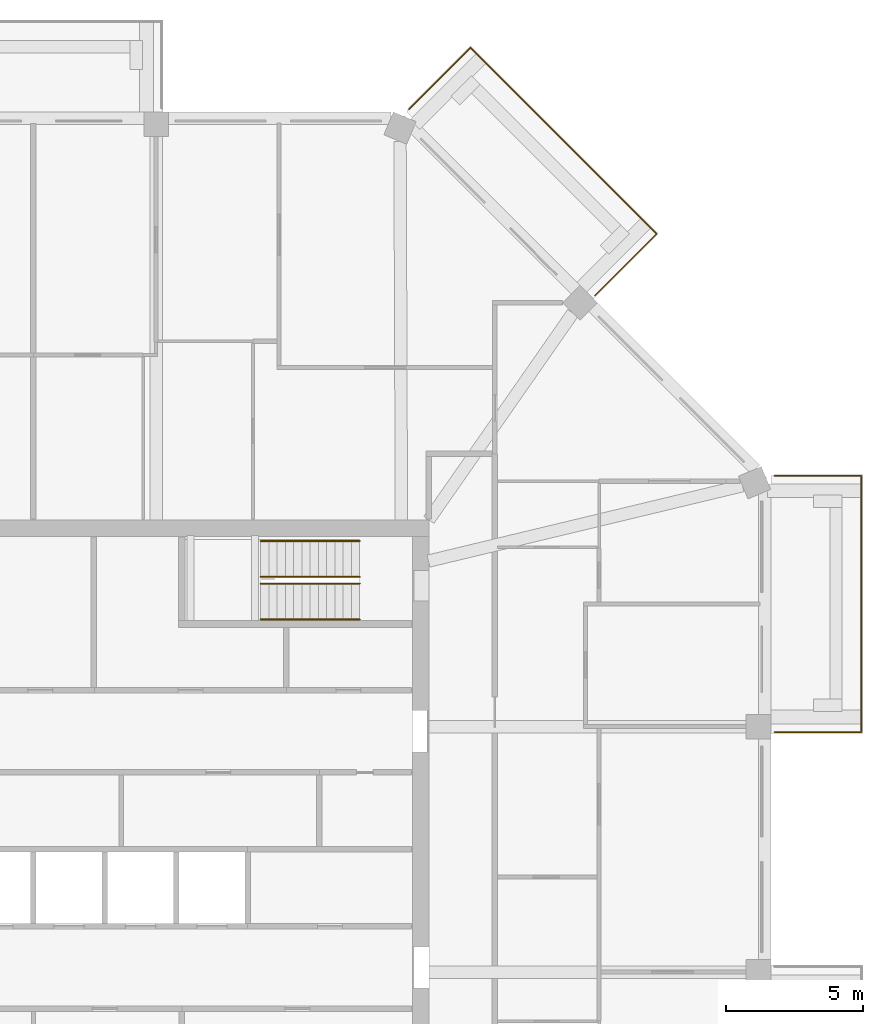
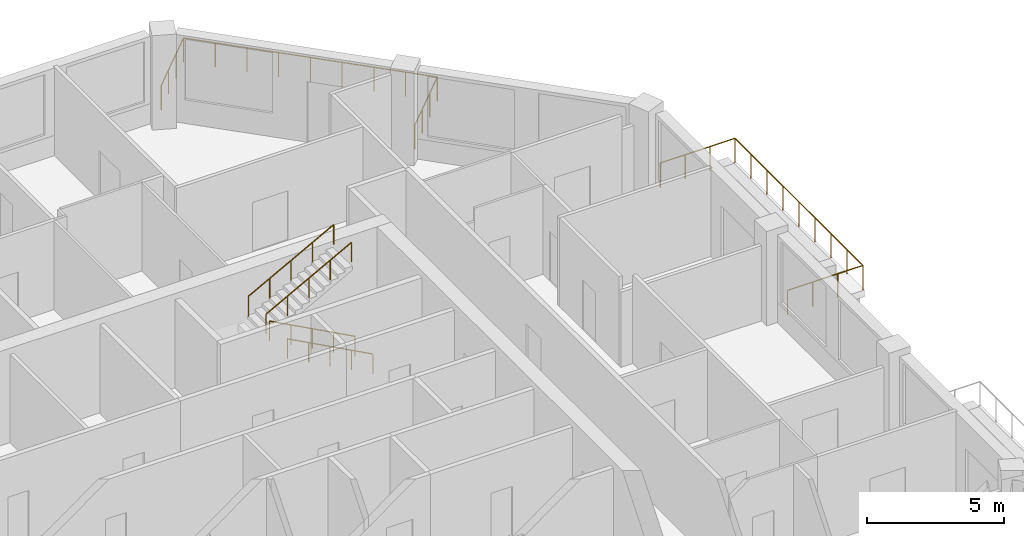
# One storey, part 12 of 12: 6 railings.
"""IFC4 building model written with IfcOpenShell, lengths in metres."""

from ifc_helpers import new_model, si_unit, direction, frame, origin, origin_2d, place, context, subcontext, project, spatial, circle, extrude, material, constituent, constituent_set, type_object, element, save


model = new_model("IFC4")

# Units and contexts
model_context = context("Model", 3, precision=1e-05, world=origin(), true_north=direction((0.0, 1.0)))
body_context = subcontext(model_context, "Body", "Model", "MODEL_VIEW")
ifc_project = project(units=[si_unit("LENGTHUNIT", "METRE"), si_unit("AREAUNIT", "SQUARE_METRE"), si_unit("VOLUMEUNIT", "CUBIC_METRE"), si_unit("PLANEANGLEUNIT", "RADIAN"), si_unit("MASSUNIT", "GRAM", prefix="KILO")], contexts=[model_context])

# Site, building, storey
site_placement = place(None, origin())
site = spatial("IfcSite", under=ifc_project, at=site_placement, CompositionType="ELEMENT")
building_placement = place(site_placement, origin())
building = spatial("IfcBuilding", under=site, at=building_placement, Name="Msitu Wima Residences", CompositionType="ELEMENT")
storey_placement = place(building_placement, frame((0.0, 0.0, 239.10009765625)))
storey = spatial("IfcBuildingStorey", under=building, at=storey_placement, Name="L55", CompositionType="ELEMENT", Elevation=239.10009765625)

# Railings
ifc_material_1 = material(Name="Steel S355", Category="steel")
ifc_constituent_1 = constituent(ifc_material_1, Name="Steel S355")
ifc_material_2 = material(Name="Weathering patina")
ifc_constituent_2 = constituent(ifc_material_2, Name="Weathering patina")
ifc_constituent_set_1 = constituent_set(constituents=[ifc_constituent_1, ifc_constituent_2], Name="Steel S355")
railing_type_1 = type_object("IfcRailingType", Name="Balcony guard GR1100", PredefinedType="GUARDRAIL", material=ifc_constituent_set_1)
railing_1_placement = place(storey_placement, frame((26.97998046875, 13.592041015625, 0.0)))
element("IfcRailing", 1, at=railing_1_placement, inside=storey, type_object=railing_type_1, Name="Balcony guard E2 L55", PredefinedType="GUARDRAIL", context=body_context, shape_type="SweptSolid", body=[
    extrude(circle(Radius=0.02392578125, at=origin_2d()), frame((0.0, 0.0, 1.076171875), z_axis=(0.923276184907, 0.384136806859, 0.0), x_axis=(-0.384136806859, 0.923276184907, 0.0)), (0.0, 0.0, 1.0), 0.0361328125),
    extrude(circle(Radius=0.02392578125, at=origin_2d()), frame((0.033447265625, 0.013916015625, 1.076171875), z_axis=(1.0, 0.0, 0.0), x_axis=(0.0, 1.0, 0.0)), (0.0, 0.0, 1.0), 3.136474609375),
    extrude(circle(Radius=0.02392578125, at=origin_2d()), frame((3.169921875, 0.013916015625, 1.076171875), z_axis=(0.0, -1.0, 0.0), x_axis=(1.0, 0.0, 0.0)), (0.0, 0.0, 1.0), 9.33740234375),
    extrude(circle(Radius=0.02392578125, at=origin_2d()), frame((3.169921875, -9.323486328125, 1.076171875), z_axis=(-1.0, 0.0, 0.0), x_axis=(0.0, -1.0, 0.0)), (0.0, 0.0, 1.0), 3.169921875),
    extrude(circle(Radius=0.02099609375, at=origin_2d()), origin(), (0.0, 0.0, 1.0), 1.052001953125),
    extrude(circle(Radius=0.02099609375, at=origin_2d()), frame((0.033447265625, 0.013916015625, 0.0)), (0.0, 0.0, 1.0), 1.052001953125),
    extrude(circle(Radius=0.02099609375, at=origin_2d()), frame((1.078857421875, 0.013916015625, 0.0)), (0.0, 0.0, 1.0), 1.052001953125),
    extrude(circle(Radius=0.02099609375, at=origin_2d()), frame((2.12451171875, 0.013916015625, 0.0)), (0.0, 0.0, 1.0), 1.052001953125),
    extrude(circle(Radius=0.02099609375, at=origin_2d()), frame((3.169921875, 0.013916015625, 0.0)), (0.0, 0.0, 1.0), 1.052001953125),
    extrude(circle(Radius=0.02099609375, at=origin_2d()), frame((3.169921875, -1.1533203125, 0.0)), (0.0, 0.0, 1.0), 1.052001953125),
    extrude(circle(Radius=0.02099609375, at=origin_2d()), frame((3.169921875, -2.3203125, 0.0)), (0.0, 0.0, 1.0), 1.052001953125),
    extrude(circle(Radius=0.02099609375, at=origin_2d()), frame((3.169921875, -3.487548828125, 0.0)), (0.0, 0.0, 1.0), 1.052001953125),
    extrude(circle(Radius=0.02099609375, at=origin_2d()), frame((3.169921875, -4.65478515625, 0.0)), (0.0, 0.0, 1.0), 1.052001953125),
    extrude(circle(Radius=0.02099609375, at=origin_2d()), frame((3.169921875, -5.822021484375, 0.0)), (0.0, 0.0, 1.0), 1.052001953125),
    extrude(circle(Radius=0.02099609375, at=origin_2d()), frame((3.169921875, -6.9892578125, 0.0)), (0.0, 0.0, 1.0), 1.052001953125),
    extrude(circle(Radius=0.02099609375, at=origin_2d()), frame((3.169921875, -8.15625, 0.0)), (0.0, 0.0, 1.0), 1.052001953125),
    extrude(circle(Radius=0.02099609375, at=origin_2d()), frame((3.169921875, -9.323486328125, 0.0)), (0.0, 0.0, 1.0), 1.052001953125),
    extrude(circle(Radius=0.02099609375, at=origin_2d()), frame((2.11328125, -9.323486328125, 0.0)), (0.0, 0.0, 1.0), 1.052001953125),
    extrude(circle(Radius=0.02099609375, at=origin_2d()), frame((1.056640625, -9.323486328125, 0.0)), (0.0, 0.0, 1.0), 1.052001953125),
    extrude(circle(Radius=0.02099609375, at=origin_2d()), frame((0.0, -9.323486328125, 0.0)), (0.0, 0.0, 1.0), 1.052001953125),
])
railing_2_placement = place(storey_placement, frame((13.684326171875, 26.941650390625, 0.0)))
element("IfcRailing", 2, at=railing_2_placement, inside=storey, type_object=railing_type_1, Name="Balcony guard NE1 L55", PredefinedType="GUARDRAIL", context=body_context, shape_type="SweptSolid", body=[
    extrude(circle(Radius=0.02392578125, at=origin_2d()), frame((0.0, 0.0, 1.076171875), z_axis=(0.38176015442, 0.92426142649, 0.0), x_axis=(-0.92426142649, 0.38176015442, 0.0)), (0.0, 0.0, 1.0), 0.036376953125),
    extrude(circle(Radius=0.02392578125, at=origin_2d()), frame((0.013916015625, 0.03369140625, 1.076171875), z_axis=(0.707106781187, 0.707106781187, 0.0), x_axis=(-0.707106781187, 0.707106781187, 0.0)), (0.0, 0.0, 1.0), 3.136474609375),
    extrude(circle(Radius=0.02392578125, at=origin_2d()), frame((2.231689453125, 2.25146484375, 1.076171875), z_axis=(0.707106781187, -0.707106781187, 0.0), x_axis=(0.707106781187, 0.707106781187, 0.0)), (0.0, 0.0, 1.0), 9.58837890625),
    extrude(circle(Radius=0.02392578125, at=origin_2d()), frame((9.01171875, -4.528564453125, 1.076171875), z_axis=(-0.707106781187, -0.707106781187, 0.0), x_axis=(0.707106781187, -0.707106781187, 0.0)), (0.0, 0.0, 1.0), 3.169921875),
    extrude(circle(Radius=0.02099609375, at=origin_2d()), origin(), (0.0, 0.0, 1.0), 1.052001953125),
    extrude(circle(Radius=0.02099609375, at=origin_2d()), frame((0.013916015625, 0.03369140625, 0.0)), (0.0, 0.0, 1.0), 1.052001953125),
    extrude(circle(Radius=0.02099609375, at=origin_2d()), frame((0.753173828125, 0.77294921875, 0.0)), (0.0, 0.0, 1.0), 1.052001953125),
    extrude(circle(Radius=0.02099609375, at=origin_2d()), frame((1.492431640625, 1.51220703125, 0.0)), (0.0, 0.0, 1.0), 1.052001953125),
    extrude(circle(Radius=0.02099609375, at=origin_2d()), frame((2.231689453125, 2.25146484375, 0.0)), (0.0, 0.0, 1.0), 1.052001953125),
    extrude(circle(Radius=0.02099609375, at=origin_2d()), frame((3.0791015625, 1.404052734375, 0.0)), (0.0, 0.0, 1.0), 1.052001953125),
    extrude(circle(Radius=0.02099609375, at=origin_2d()), frame((3.9267578125, 0.556396484375, 0.0)), (0.0, 0.0, 1.0), 1.052001953125),
    extrude(circle(Radius=0.02099609375, at=origin_2d()), frame((4.774169921875, -0.291015625, 0.0)), (0.0, 0.0, 1.0), 1.052001953125),
    extrude(circle(Radius=0.02099609375, at=origin_2d()), frame((5.62158203125, -1.138671875, 0.0)), (0.0, 0.0, 1.0), 1.052001953125),
    extrude(circle(Radius=0.02099609375, at=origin_2d()), frame((6.46923828125, -1.986083984375, 0.0)), (0.0, 0.0, 1.0), 1.052001953125),
    extrude(circle(Radius=0.02099609375, at=origin_2d()), frame((7.316650390625, -2.83349609375, 0.0)), (0.0, 0.0, 1.0), 1.052001953125),
    extrude(circle(Radius=0.02099609375, at=origin_2d()), frame((8.164306640625, -3.68115234375, 0.0)), (0.0, 0.0, 1.0), 1.052001953125),
    extrude(circle(Radius=0.02099609375, at=origin_2d()), frame((9.01171875, -4.528564453125, 0.0)), (0.0, 0.0, 1.0), 1.052001953125),
    extrude(circle(Radius=0.02099609375, at=origin_2d()), frame((8.2646484375, -5.275634765625, 0.0)), (0.0, 0.0, 1.0), 1.052001953125),
    extrude(circle(Radius=0.02099609375, at=origin_2d()), frame((7.517333984375, -6.02294921875, 0.0)), (0.0, 0.0, 1.0), 1.052001953125),
    extrude(circle(Radius=0.02099609375, at=origin_2d()), frame((6.770263671875, -6.77001953125, 0.0)), (0.0, 0.0, 1.0), 1.052001953125),
])
ifc_constituent_3 = constituent(ifc_material_1, Name="Steel S355")
ifc_material_3 = material(Name="Black powder coating")
ifc_constituent_4 = constituent(ifc_material_3, Name="Black powder coating")
ifc_constituent_set_2 = constituent_set(constituents=[ifc_constituent_3, ifc_constituent_4], Name="Steel S355")
railing_type_2 = type_object("IfcRailingType", Name="Stair handrail HR1", PredefinedType="HANDRAIL", material=ifc_constituent_set_2)
for number, where, name in (
    (3, (11.875, 8.375, 0.161376953125), "Stair 3 handrail"),
    (4, (11.875, 9.675048828125, 0.161376953125), "Stair 3 handrail"),
):
    element("IfcRailing", number, at=place(storey_placement, frame(where)), inside=storey, type_object=railing_type_2, Name=name, PredefinedType="HANDRAIL", context=body_context, shape_type="SweptSolid", body=[
        extrude(circle(Radius=0.02392578125, at=origin_2d()), frame((0.0, 0.0, 0.8759765625), z_axis=(-0.880474934443, 0.0, 0.474092701714), x_axis=(0.0, -1.0, 0.0)), (0.0, 0.0, 1.0), 4.0888671875),
        extrude(circle(Radius=0.02099609375, at=origin_2d()), origin(), (0.0, 0.0, 1.0), 0.851806640625),
        extrude(circle(Radius=0.02099609375, at=origin_2d()), frame((-0.89990234375, 0.0, 0.484619140625)), (0.0, 0.0, 1.0), 0.851806640625),
        extrude(circle(Radius=0.02099609375, at=origin_2d()), frame((-1.800048828125, 0.0, 0.96923828125)), (0.0, 0.0, 1.0), 0.851806640625),
        extrude(circle(Radius=0.02099609375, at=origin_2d()), frame((-2.7001953125, 0.0, 1.453857421875)), (0.0, 0.0, 1.0), 0.851806640625),
        extrude(circle(Radius=0.02099609375, at=origin_2d()), frame((-3.60009765625, 0.0, 1.9384765625)), (0.0, 0.0, 1.0), 0.851806640625),
    ])
for number, where, name in (
    (5, (8.27490234375, 9.925048828125, 2.261474609375), "Stair 3 handrail"),
    (6, (8.27490234375, 11.22509765625, 2.261474609375), "Stair 3 handrail"),
):
    element("IfcRailing", number, at=place(storey_placement, frame(where)), inside=storey, type_object=railing_type_2, Name=name, PredefinedType="HANDRAIL", context=body_context, shape_type="SweptSolid", body=[
        extrude(circle(Radius=0.02392578125, at=origin_2d()), frame((0.0, 0.0, 0.8759765625), z_axis=(0.880474934443, 0.0, 0.474092701714), x_axis=(0.0, 1.0, 0.0)), (0.0, 0.0, 1.0), 4.0888671875),
        extrude(circle(Radius=0.02099609375, at=origin_2d()), origin(), (0.0, 0.0, 1.0), 0.851806640625),
        extrude(circle(Radius=0.02099609375, at=origin_2d()), frame((0.89990234375, 0.0, 0.484619140625)), (0.0, 0.0, 1.0), 0.851806640625),
        extrude(circle(Radius=0.02099609375, at=origin_2d()), frame((1.800048828125, 0.0, 0.96923828125)), (0.0, 0.0, 1.0), 0.851806640625),
        extrude(circle(Radius=0.02099609375, at=origin_2d()), frame((2.7001953125, 0.0, 1.453857421875)), (0.0, 0.0, 1.0), 0.851806640625),
        extrude(circle(Radius=0.02099609375, at=origin_2d()), frame((3.60009765625, 0.0, 1.9384765625)), (0.0, 0.0, 1.0), 0.851806640625),
    ])

save(model, "model.ifc")
